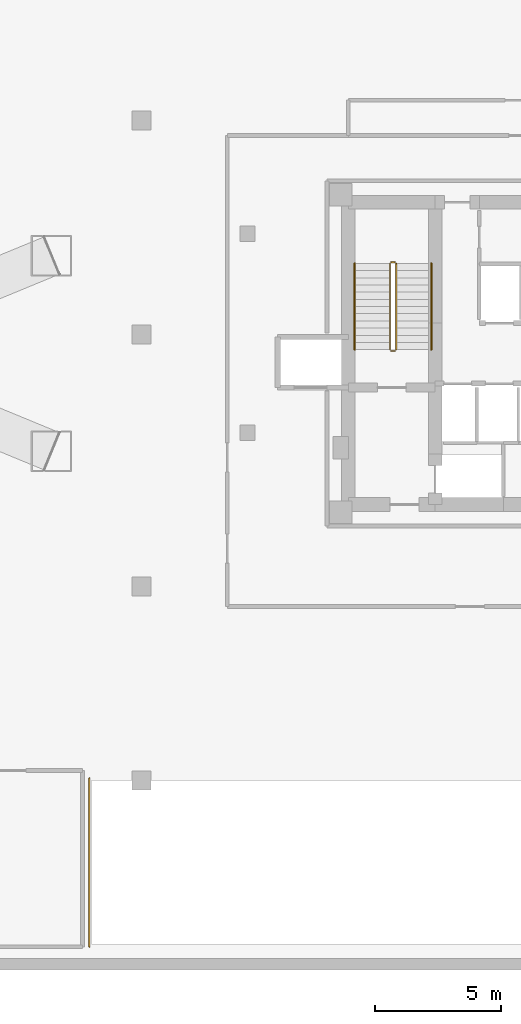
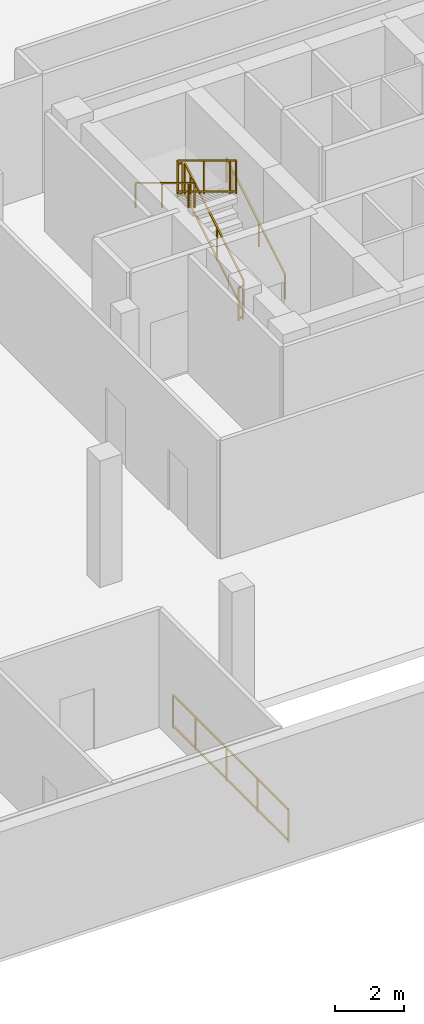
# One storey, part 12 of 14: 7 railings.
"""IFC4 building model written with IfcOpenShell, lengths in metres."""

import ifcopenshell
import ifcopenshell.guid

model = None  # the IFC model being written
_history = None  # IfcOwnerHistory: only IFC2X3 demands one
_inside = {}  # id of a spatial element -> (the spatial element, [elements in it])
_under = {}  # id of a project, library or spatial element -> (it, [spatial elements below it])
_declared = {}  # id of a project -> (the project, [libraries it declares])
_typed = {}  # id of a type object -> (the type object, [elements of that type])
_made_of = {}  # id of a material, layer set ... -> (it, [elements and type objects made of it])


def new_model(schema):
    """Start an empty IFC model of exactly this schema.

    Asked for "IFC4X3", IfcOpenShell would pick the latest addendum, in which some entities
    have other attributes; the version numbers below select the first issue.
    IFC2X3 requires an IfcOwnerHistory on every rooted entity: one is made here for all.
    """
    global model, _history
    if schema == "IFC4X3":
        model = ifcopenshell.file(schema_version=(4, 3, 0, 0))
    else:
        model = ifcopenshell.file(schema=schema)
    _inside.clear()
    _under.clear()
    _declared.clear()
    _typed.clear()
    _made_of.clear()
    _history = None
    if model.schema == "IFC2X3":
        org = make("IfcOrganization", Name="unknown")
        user = make(
            "IfcPersonAndOrganization",
            ThePerson=make("IfcPerson", FamilyName="unknown"),
            TheOrganization=org,
        )
        app = make(
            "IfcApplication",
            ApplicationDeveloper=org,
            Version="unknown",
            ApplicationFullName="unknown",
            ApplicationIdentifier="unknown",
        )
        _history = make(
            "IfcOwnerHistory",
            OwningUser=user,
            OwningApplication=app,
            ChangeAction="ADDED",
            CreationDate=0,
        )
    return model


def make(cls, **values):
    """One entity of the class cls with the attributes given. An attribute that is None is left unset."""
    return model.create_entity(
        cls, **{name: value for name, value in values.items() if value is not None}
    )


def rooted(cls, **values):
    """An entity with a GlobalId (a new one), such as an element, a storey or a relation."""
    return make(cls, GlobalId=ifcopenshell.guid.new(), OwnerHistory=_history, **values)


def si_unit(unit_type, name, prefix=None):
    """IfcSIUnit, for example si_unit("LENGTHUNIT", "METRE", prefix="MILLI")."""
    return make("IfcSIUnit", UnitType=unit_type, Prefix=prefix, Name=name)


def assignment(units):
    """IfcUnitAssignment: the units of a project."""
    return None if units is None else make("IfcUnitAssignment", Units=units)


def point(xyz):
    """IfcCartesianPoint."""
    return None if xyz is None else make("IfcCartesianPoint", Coordinates=xyz)


def direction(xyz):
    """IfcDirection."""
    return None if xyz is None else make("IfcDirection", DirectionRatios=xyz)


def frame(location, z_axis=None, x_axis=None):
    """IfcAxis2Placement3D, a coordinate frame: its origin and axes. An axis left out is left unset."""
    return make(
        "IfcAxis2Placement3D",
        Location=point(location),
        Axis=direction(z_axis),
        RefDirection=direction(x_axis),
    )


def frame_2d(location, x_axis=None):
    """IfcAxis2Placement2D, a coordinate frame in the plane: its origin and x axis."""
    return make(
        "IfcAxis2Placement2D", Location=point(location), RefDirection=direction(x_axis)
    )


def origin():
    """The frame at (0, 0, 0) with its axes left unset."""
    return frame((0.0, 0.0, 0.0))


def origin_2d():
    """The frame at (0, 0) in the plane with its x axis left unset."""
    return frame_2d((0.0, 0.0))


def place(relative_to, where):
    """IfcLocalPlacement: puts the frame where relative to a parent placement (None: the world)."""
    return make(
        "IfcLocalPlacement", PlacementRelTo=relative_to, RelativePlacement=where
    )


def context(
    kind, dimensions, precision=None, world=None, true_north=None, identifier=None
):
    """IfcGeometricRepresentationContext, for example the 3D "Model" context."""
    return make(
        "IfcGeometricRepresentationContext",
        ContextIdentifier=identifier,
        ContextType=kind,
        CoordinateSpaceDimension=dimensions,
        Precision=precision,
        WorldCoordinateSystem=world,
        TrueNorth=true_north,
    )


def subcontext(parent, identifier, kind, view, scale=None):
    """IfcGeometricRepresentationSubContext, for example "Body" below "Model"."""
    return make(
        "IfcGeometricRepresentationSubContext",
        ContextIdentifier=identifier,
        ContextType=kind,
        ParentContext=parent,
        TargetScale=scale,
        TargetView=view,
    )


def project(units=None, contexts=None):
    """IfcProject with its units and contexts."""
    return rooted(
        "IfcProject",
        Name="project",
        RepresentationContexts=contexts,
        UnitsInContext=assignment(units),
    )


def spatial(cls, under=None, at=None, **own):
    """A site, building, storey or space (cls), placed at a placement, below another one or the project."""
    s = rooted(cls, ObjectPlacement=at, **own)
    if under is not None:
        _under.setdefault(under.id(), (under, []))[1].append(s)
    return s


def profile(cls, at=None, kind="AREA", **sizes):
    """A parametric profile (cls). Its sizes go by their IFC names, for example OverallWidth=200.0."""
    return make(cls, ProfileType=kind, Position=at, **sizes)


def rectangle(**sizes):
    """IfcRectangleProfileDef."""
    return profile("IfcRectangleProfileDef", **sizes)


def extrude(swept, where, along, depth):
    """IfcExtrudedAreaSolid: the profile swept, set in the frame where, extruded along a direction by depth."""
    return make(
        "IfcExtrudedAreaSolid",
        SweptArea=swept,
        Position=where,
        ExtrudedDirection=direction(along),
        Depth=depth,
    )


def shape(context_of_items, identifier, shape_type, items):
    """IfcShapeRepresentation: the items that make up one representation, for example the "Body"."""
    return make(
        "IfcShapeRepresentation",
        ContextOfItems=context_of_items,
        RepresentationIdentifier=identifier,
        RepresentationType=shape_type,
        Items=items,
    )


def material(Name=None, Category=None):
    """IfcMaterial."""
    return make("IfcMaterial", Name=Name, Category=Category)


def made_of(thing, what):
    """Note that an element or type object is made of a material, layer set ...; save() writes the relation."""
    if what is not None:
        _made_of.setdefault(what.id(), (what, []))[1].append(thing)
    return thing


def type_object(cls, material=None, **own):
    """A type object (cls), such as IfcWallType, which elements share."""
    return made_of(rooted(cls, **own), material)


def element(
    cls,
    number,
    at=None,
    inside=None,
    cuts=None,
    type_object=None,
    material=None,
    context=None,
    identifier="Body",
    shape_type=None,
    held_by="IfcProductDefinitionShape",
    body=None,
    shapes=None,
    **own,
):
    """One element of the class cls, such as IfcWall. Its Tag is "e" and its number.

    at: its placement. inside: the storey or other place that contains it. cuts: it is an
    opening in that element (IfcRelVoidsElement). A single representation is given by context,
    identifier, shape_type and body (its items); several are given by shapes. held_by: the class
    of the entity that holds the representations. save() writes the other relations.
    """
    e = rooted(cls, Tag="e%d" % number, ObjectPlacement=at, **own)
    if body is not None:
        shapes = [shape(context, identifier, shape_type, body)]
    if shapes is not None:
        e.Representation = make(held_by, Representations=shapes)
    if inside is not None:
        _inside.setdefault(inside.id(), (inside, []))[1].append(e)
    if cuts is not None:
        rooted(
            "IfcRelVoidsElement", RelatingBuildingElement=cuts, RelatedOpeningElement=e
        )
    if type_object is not None:
        _typed.setdefault(type_object.id(), (type_object, []))[1].append(e)
    return made_of(e, material)


def aggregate(whole, parts):
    """IfcRelAggregates: a whole, such as a stair, and the parts it consists of."""
    return rooted("IfcRelAggregates", RelatingObject=whole, RelatedObjects=parts)


def save(model, path):
    """Write the relations noted so far, then the file.

    IfcRelAggregates (storeys below a building ...), IfcRelContainedInSpatialStructure (elements
    in a storey), IfcRelDefinesByType, IfcRelAssociatesMaterial and IfcRelDeclares: one each for
    every whole, place, type object, material and project.
    """
    for whole, parts in _under.values():
        aggregate(whole, parts)
    for where, things in _inside.values():
        rooted(
            "IfcRelContainedInSpatialStructure",
            RelatedElements=things,
            RelatingStructure=where,
        )
    for kind, things in _typed.values():
        rooted("IfcRelDefinesByType", RelatedObjects=things, RelatingType=kind)
    for what, things in _made_of.values():
        rooted("IfcRelAssociatesMaterial", RelatedObjects=things, RelatingMaterial=what)
    for by, libraries in _declared.values():
        rooted("IfcRelDeclares", RelatingContext=by, RelatedDefinitions=libraries)
    model.write(path)


model = new_model("IFC4")

# Units and contexts
model_context = context("Model", 3, precision=1e-05, world=origin(), true_north=direction((0.0, 1.0)))
body_context = subcontext(model_context, "Body", "Model", "MODEL_VIEW")
ifc_project = project(units=[si_unit("LENGTHUNIT", "METRE"), si_unit("AREAUNIT", "SQUARE_METRE"), si_unit("VOLUMEUNIT", "CUBIC_METRE"), si_unit("PLANEANGLEUNIT", "RADIAN"), si_unit("MASSUNIT", "GRAM", prefix="KILO")], contexts=[model_context])

# Site, building, storey
site_placement = place(None, origin())
site = spatial("IfcSite", under=ifc_project, at=site_placement, CompositionType="ELEMENT")
building_placement = place(site_placement, origin())
building = spatial("IfcBuilding", under=site, at=building_placement, Name="Mersakhor Tower and Convention Hall", CompositionType="ELEMENT")
storey_placement = place(building_placement, frame((0.0, 0.0, -4.5)))
storey = spatial("IfcBuildingStorey", under=building, at=storey_placement, Name="B01", CompositionType="ELEMENT", Elevation=-4.5)

# Railings
ifc_material_1 = material(Name="Powder-coated galvanised steel and laminated glass balustrade", Category="steel")
railing_type_1 = type_object("IfcRailingType", Name="RL-BAL-1200", PredefinedType="BALUSTRADE", material=ifc_material_1)
railing_1_placement = place(storey_placement, frame((11.919921875, 3.199951171875, 0.0)))
element("IfcRailing", 1, at=railing_1_placement, inside=storey, type_object=railing_type_1, Name="B01 Vehicle Ramp West Opening Guard Balustrade", PredefinedType="BALUSTRADE", context=body_context, shape_type="SweptSolid", body=[
    extrude(rectangle(XDim=0.048095703125, YDim=0.048095703125, at=origin_2d()), frame((0.0, 0.0, 1.17578125), z_axis=(0.0, 1.0, 0.0), x_axis=(-1.0, 0.0, 0.0)), (0.0, 0.0, 1.0), 6.699951171875),
    extrude(rectangle(XDim=0.048095703125, YDim=0.048095703125, at=origin_2d()), frame((0.0, 0.0, 0.080078125), z_axis=(0.0, 1.0, 0.0), x_axis=(-1.0, 0.0, 0.0)), (0.0, 0.0, 1.0), 6.699951171875),
    extrude(rectangle(XDim=0.0419921875, YDim=0.0419921875, at=origin_2d()), origin(), (0.0, 0.0, 1.0), 1.15185546875),
    extrude(rectangle(XDim=0.0419921875, YDim=0.0419921875, at=origin_2d()), frame((0.0, 1.800048828125, 0.0)), (0.0, 0.0, 1.0), 1.15185546875),
    extrude(rectangle(XDim=0.0419921875, YDim=0.0419921875, at=origin_2d()), frame((0.0, 3.60009765625, 0.0)), (0.0, 0.0, 1.0), 1.15185546875),
    extrude(rectangle(XDim=0.0419921875, YDim=0.0419921875, at=origin_2d()), frame((0.0, 5.39990234375, 0.0)), (0.0, 0.0, 1.0), 1.15185546875),
    extrude(rectangle(XDim=0.0419921875, YDim=0.0419921875, at=origin_2d()), frame((0.0, 6.699951171875, 0.0)), (0.0, 0.0, 1.0), 1.15185546875),
])
ifc_material_2 = material(Name="Brushed stainless steel handrail", Category="steel")
railing_type_2 = type_object("IfcRailingType", Name="RL-HR-900", PredefinedType="HANDRAIL", material=ifc_material_2)
railing_2_placement = place(storey_placement, frame((25.5, 26.89990234375, 0.173095703125)))
element("IfcRailing", 2, at=railing_2_placement, inside=storey, type_object=railing_type_2, Name="B01 ST-1 stair handrail 1", PredefinedType="HANDRAIL", context=body_context, shape_type="SweptSolid", body=[
    extrude(rectangle(XDim=0.048095703125, YDim=0.048095703125, at=origin_2d()), frame((0.0, 0.0, 0.8759765625), z_axis=(0.0, 0.854745945586, 0.519046595696), x_axis=(-1.0, 0.0, 0.0)), (0.0, 0.0, 1.0), 4.00146484375),
    extrude(rectangle(XDim=0.0419921875, YDim=0.0419921875, at=origin_2d()), origin(), (0.0, 0.0, 1.0), 0.851806640625),
    extrude(rectangle(XDim=0.0419921875, YDim=0.0419921875, at=origin_2d()), frame((0.0, 1.53857421875, 0.934326171875)), (0.0, 0.0, 1.0), 0.851806640625),
    extrude(rectangle(XDim=0.0419921875, YDim=0.0419921875, at=origin_2d()), frame((0.0, 3.0771484375, 1.86865234375)), (0.0, 0.0, 1.0), 0.851806640625),
    extrude(rectangle(XDim=0.0419921875, YDim=0.0419921875, at=origin_2d()), frame((0.0, 3.420166015625, 2.076904296875)), (0.0, 0.0, 1.0), 0.851806640625),
])
railing_3_placement = place(storey_placement, frame((22.449951171875, 30.320068359375, 2.423095703125)))
element("IfcRailing", 3, at=railing_3_placement, inside=storey, type_object=railing_type_2, Name="B01 ST-1 stair handrail 2", PredefinedType="HANDRAIL", context=body_context, shape_type="SweptSolid", body=[
    extrude(rectangle(XDim=0.048095703125, YDim=0.048095703125, at=origin_2d()), frame((0.0, 0.0, 0.8759765625), z_axis=(0.0, -0.854745945586, 0.519046595696), x_axis=(1.0, 0.0, 0.0)), (0.0, 0.0, 1.0), 4.00146484375),
    extrude(rectangle(XDim=0.0419921875, YDim=0.0419921875, at=origin_2d()), origin(), (0.0, 0.0, 1.0), 0.851806640625),
    extrude(rectangle(XDim=0.0419921875, YDim=0.0419921875, at=origin_2d()), frame((0.0, -1.53857421875, 0.934326171875)), (0.0, 0.0, 1.0), 0.851806640625),
    extrude(rectangle(XDim=0.0419921875, YDim=0.0419921875, at=origin_2d()), frame((0.0, -3.0771484375, 1.86865234375)), (0.0, 0.0, 1.0), 0.851806640625),
    extrude(rectangle(XDim=0.0419921875, YDim=0.0419921875, at=origin_2d()), frame((0.0, -3.420166015625, 2.076904296875)), (0.0, 0.0, 1.0), 0.851806640625),
])
ifc_material_3 = material(Name="Painted steel stair balustrade S355", Category="steel")
railing_type_3 = type_object("IfcRailingType", Name="RL-STG-1200", PredefinedType="BALUSTRADE", material=ifc_material_3)
railing_4_placement = place(storey_placement, frame((24.10009765625, 26.89990234375, 0.173095703125)))
element("IfcRailing", 4, at=railing_4_placement, inside=storey, type_object=railing_type_3, Name="B01 ST-1 stair guard 1", PredefinedType="BALUSTRADE", context=body_context, shape_type="SweptSolid", body=[
    extrude(rectangle(XDim=0.048095703125, YDim=0.048095703125, at=origin_2d()), frame((0.0, 0.0, 1.17578125), z_axis=(0.0, 0.854745945586, 0.519046595696), x_axis=(-1.0, 0.0, 0.0)), (0.0, 0.0, 1.0), 4.00146484375),
    extrude(rectangle(XDim=0.048095703125, YDim=0.048095703125, at=origin_2d()), frame((0.0, 0.0, 0.080078125), z_axis=(0.0, 0.854745945586, 0.519046595696), x_axis=(-1.0, 0.0, 0.0)), (0.0, 0.0, 1.0), 4.00146484375),
    extrude(rectangle(XDim=0.0419921875, YDim=0.0419921875, at=origin_2d()), origin(), (0.0, 0.0, 1.0), 1.15185546875),
    extrude(rectangle(XDim=0.0419921875, YDim=0.0419921875, at=origin_2d()), frame((0.0, 1.53857421875, 0.934326171875)), (0.0, 0.0, 1.0), 1.15185546875),
    extrude(rectangle(XDim=0.0419921875, YDim=0.0419921875, at=origin_2d()), frame((0.0, 3.0771484375, 1.86865234375)), (0.0, 0.0, 1.0), 1.15185546875),
    extrude(rectangle(XDim=0.0419921875, YDim=0.0419921875, at=origin_2d()), frame((0.0, 3.420166015625, 2.076904296875)), (0.0, 0.0, 1.0), 1.15185546875),
])
railing_5_placement = place(storey_placement, frame((24.050048828125, 30.3701171875, 2.25)))
element("IfcRailing", 5, at=railing_5_placement, inside=storey, type_object=railing_type_3, Name="B01 ST-1 stair guard 2", PredefinedType="BALUSTRADE", context=body_context, shape_type="SweptSolid", body=[
    extrude(rectangle(XDim=0.048095703125, YDim=0.048095703125, at=origin_2d()), frame((0.0, 0.0, 1.17578125), z_axis=(-1.0, 0.0, 0.0), x_axis=(0.0, -1.0, 0.0)), (0.0, 0.0, 1.0), 0.150146484375),
    extrude(rectangle(XDim=0.048095703125, YDim=0.048095703125, at=origin_2d()), frame((0.0, 0.0, 0.080078125), z_axis=(-1.0, 0.0, 0.0), x_axis=(0.0, -1.0, 0.0)), (0.0, 0.0, 1.0), 0.150146484375),
    extrude(rectangle(XDim=0.0419921875, YDim=0.0419921875, at=origin_2d()), origin(), (0.0, 0.0, 1.0), 1.15185546875),
    extrude(rectangle(XDim=0.0419921875, YDim=0.0419921875, at=origin_2d()), frame((-0.150146484375, 0.0, 0.0)), (0.0, 0.0, 1.0), 1.15185546875),
])
railing_6_placement = place(storey_placement, frame((23.85009765625, 30.320068359375, 2.423095703125)))
element("IfcRailing", 6, at=railing_6_placement, inside=storey, type_object=railing_type_3, Name="B01 ST-1 stair guard 3", PredefinedType="BALUSTRADE", context=body_context, shape_type="SweptSolid", body=[
    extrude(rectangle(XDim=0.048095703125, YDim=0.048095703125, at=origin_2d()), frame((0.0, 0.0, 1.17578125), z_axis=(0.0, -0.854745945586, 0.519046595696), x_axis=(1.0, 0.0, 0.0)), (0.0, 0.0, 1.0), 4.00146484375),
    extrude(rectangle(XDim=0.048095703125, YDim=0.048095703125, at=origin_2d()), frame((0.0, 0.0, 0.080078125), z_axis=(0.0, -0.854745945586, 0.519046595696), x_axis=(1.0, 0.0, 0.0)), (0.0, 0.0, 1.0), 4.00146484375),
    extrude(rectangle(XDim=0.0419921875, YDim=0.0419921875, at=origin_2d()), origin(), (0.0, 0.0, 1.0), 1.15185546875),
    extrude(rectangle(XDim=0.0419921875, YDim=0.0419921875, at=origin_2d()), frame((0.0, -1.53857421875, 0.934326171875)), (0.0, 0.0, 1.0), 1.15185546875),
    extrude(rectangle(XDim=0.0419921875, YDim=0.0419921875, at=origin_2d()), frame((0.0, -3.0771484375, 1.86865234375)), (0.0, 0.0, 1.0), 1.15185546875),
    extrude(rectangle(XDim=0.0419921875, YDim=0.0419921875, at=origin_2d()), frame((0.0, -3.420166015625, 2.076904296875)), (0.0, 0.0, 1.0), 1.15185546875),
])
railing_7_placement = place(storey_placement, frame((24.050048828125, 26.85009765625, 0.0)))
element("IfcRailing", 7, at=railing_7_placement, inside=storey, type_object=railing_type_3, Name="B01 ST-1 stair guard 4", PredefinedType="BALUSTRADE", context=body_context, shape_type="SweptSolid", body=[
    extrude(rectangle(XDim=0.048095703125, YDim=0.048095703125, at=origin_2d()), frame((0.0, 0.0, 1.17578125), z_axis=(-1.0, 0.0, 0.0), x_axis=(0.0, -1.0, 0.0)), (0.0, 0.0, 1.0), 0.150146484375),
    extrude(rectangle(XDim=0.048095703125, YDim=0.048095703125, at=origin_2d()), frame((0.0, 0.0, 0.080078125), z_axis=(-1.0, 0.0, 0.0), x_axis=(0.0, -1.0, 0.0)), (0.0, 0.0, 1.0), 0.150146484375),
    extrude(rectangle(XDim=0.0419921875, YDim=0.0419921875, at=origin_2d()), origin(), (0.0, 0.0, 1.0), 1.15185546875),
    extrude(rectangle(XDim=0.0419921875, YDim=0.0419921875, at=origin_2d()), frame((-0.150146484375, 0.0, 0.0)), (0.0, 0.0, 1.0), 1.15185546875),
])

save(model, "model.ifc")
